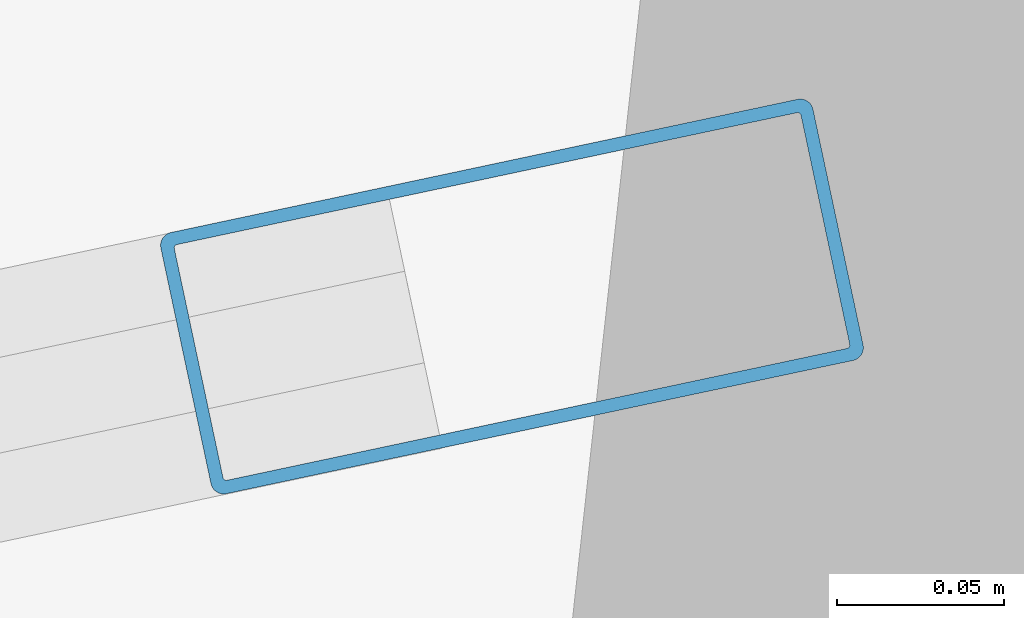
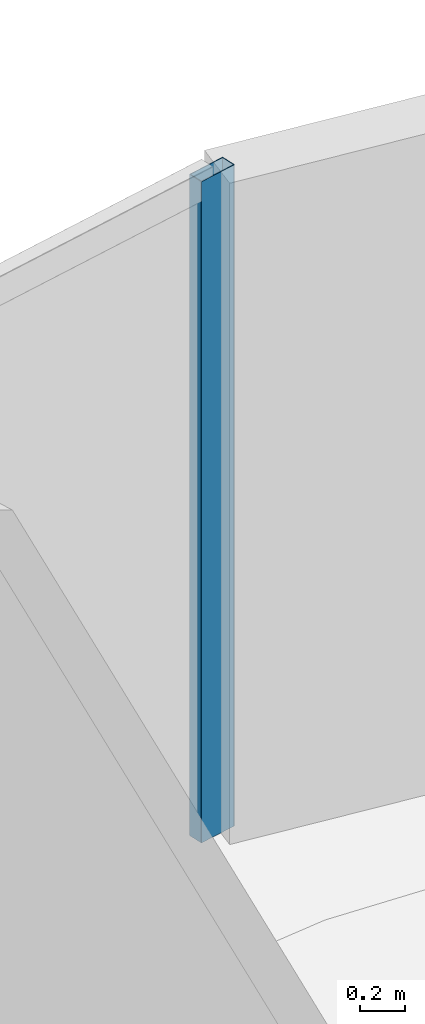
# One storey, part 12 of 20: 1 member, 1 element without a shape of its own.
"""IFC4 building model written with IfcOpenShell, lengths in metres."""

import ifcopenshell
import ifcopenshell.guid

model = None  # the IFC model being written
_history = None  # IfcOwnerHistory: only IFC2X3 demands one
_inside = {}  # id of a spatial element -> (the spatial element, [elements in it])
_under = {}  # id of a project, library or spatial element -> (it, [spatial elements below it])
_declared = {}  # id of a project -> (the project, [libraries it declares])
_typed = {}  # id of a type object -> (the type object, [elements of that type])
_made_of = {}  # id of a material, layer set ... -> (it, [elements and type objects made of it])


def new_model(schema):
    """Start an empty IFC model of exactly this schema.

    Asked for "IFC4X3", IfcOpenShell would pick the latest addendum, in which some entities
    have other attributes; the version numbers below select the first issue.
    IFC2X3 requires an IfcOwnerHistory on every rooted entity: one is made here for all.
    """
    global model, _history
    if schema == "IFC4X3":
        model = ifcopenshell.file(schema_version=(4, 3, 0, 0))
    else:
        model = ifcopenshell.file(schema=schema)
    _inside.clear()
    _under.clear()
    _declared.clear()
    _typed.clear()
    _made_of.clear()
    _history = None
    if model.schema == "IFC2X3":
        org = make("IfcOrganization", Name="unknown")
        user = make(
            "IfcPersonAndOrganization",
            ThePerson=make("IfcPerson", FamilyName="unknown"),
            TheOrganization=org,
        )
        app = make(
            "IfcApplication",
            ApplicationDeveloper=org,
            Version="unknown",
            ApplicationFullName="unknown",
            ApplicationIdentifier="unknown",
        )
        _history = make(
            "IfcOwnerHistory",
            OwningUser=user,
            OwningApplication=app,
            ChangeAction="ADDED",
            CreationDate=0,
        )
    return model


def make(cls, **values):
    """One entity of the class cls with the attributes given. An attribute that is None is left unset."""
    return model.create_entity(
        cls, **{name: value for name, value in values.items() if value is not None}
    )


def rooted(cls, **values):
    """An entity with a GlobalId (a new one), such as an element, a storey or a relation."""
    return make(cls, GlobalId=ifcopenshell.guid.new(), OwnerHistory=_history, **values)


def si_unit(unit_type, name, prefix=None):
    """IfcSIUnit, for example si_unit("LENGTHUNIT", "METRE", prefix="MILLI")."""
    return make("IfcSIUnit", UnitType=unit_type, Prefix=prefix, Name=name)


def assignment(units):
    """IfcUnitAssignment: the units of a project."""
    return None if units is None else make("IfcUnitAssignment", Units=units)


def point(xyz):
    """IfcCartesianPoint."""
    return None if xyz is None else make("IfcCartesianPoint", Coordinates=xyz)


def direction(xyz):
    """IfcDirection."""
    return None if xyz is None else make("IfcDirection", DirectionRatios=xyz)


def frame(location, z_axis=None, x_axis=None):
    """IfcAxis2Placement3D, a coordinate frame: its origin and axes. An axis left out is left unset."""
    return make(
        "IfcAxis2Placement3D",
        Location=point(location),
        Axis=direction(z_axis),
        RefDirection=direction(x_axis),
    )


def frame_2d(location, x_axis=None):
    """IfcAxis2Placement2D, a coordinate frame in the plane: its origin and x axis."""
    return make(
        "IfcAxis2Placement2D", Location=point(location), RefDirection=direction(x_axis)
    )


def origin():
    """The frame at (0, 0, 0) with its axes left unset."""
    return frame((0.0, 0.0, 0.0))


def origin_2d():
    """The frame at (0, 0) in the plane with its x axis left unset."""
    return frame_2d((0.0, 0.0))


def place(relative_to, where):
    """IfcLocalPlacement: puts the frame where relative to a parent placement (None: the world)."""
    return make(
        "IfcLocalPlacement", PlacementRelTo=relative_to, RelativePlacement=where
    )


def context(
    kind, dimensions, precision=None, world=None, true_north=None, identifier=None
):
    """IfcGeometricRepresentationContext, for example the 3D "Model" context."""
    return make(
        "IfcGeometricRepresentationContext",
        ContextIdentifier=identifier,
        ContextType=kind,
        CoordinateSpaceDimension=dimensions,
        Precision=precision,
        WorldCoordinateSystem=world,
        TrueNorth=true_north,
    )


def subcontext(parent, identifier, kind, view, scale=None):
    """IfcGeometricRepresentationSubContext, for example "Body" below "Model"."""
    return make(
        "IfcGeometricRepresentationSubContext",
        ContextIdentifier=identifier,
        ContextType=kind,
        ParentContext=parent,
        TargetScale=scale,
        TargetView=view,
    )


def project(units=None, contexts=None):
    """IfcProject with its units and contexts."""
    return rooted(
        "IfcProject",
        Name="project",
        RepresentationContexts=contexts,
        UnitsInContext=assignment(units),
    )


def spatial(cls, under=None, at=None, **own):
    """A site, building, storey or space (cls), placed at a placement, below another one or the project."""
    s = rooted(cls, ObjectPlacement=at, **own)
    if under is not None:
        _under.setdefault(under.id(), (under, []))[1].append(s)
    return s


def profile(cls, at=None, kind="AREA", **sizes):
    """A parametric profile (cls). Its sizes go by their IFC names, for example OverallWidth=200.0."""
    return make(cls, ProfileType=kind, Position=at, **sizes)


def hollow_rectangle(**sizes):
    """IfcRectangleHollowProfileDef."""
    return profile("IfcRectangleHollowProfileDef", **sizes)


def extrude(swept, where, along, depth):
    """IfcExtrudedAreaSolid: the profile swept, set in the frame where, extruded along a direction by depth."""
    return make(
        "IfcExtrudedAreaSolid",
        SweptArea=swept,
        Position=where,
        ExtrudedDirection=direction(along),
        Depth=depth,
    )


def shape(context_of_items, identifier, shape_type, items):
    """IfcShapeRepresentation: the items that make up one representation, for example the "Body"."""
    return make(
        "IfcShapeRepresentation",
        ContextOfItems=context_of_items,
        RepresentationIdentifier=identifier,
        RepresentationType=shape_type,
        Items=items,
    )


def material(Name=None, Category=None):
    """IfcMaterial."""
    return make("IfcMaterial", Name=Name, Category=Category)


def layer(
    of_material, thickness, ventilated=None, Name=None, Category=None, Priority=None
):
    """IfcMaterialLayer: one layer of a wall or slab, of a material (None: an air gap)."""
    return make(
        "IfcMaterialLayer",
        Material=of_material,
        LayerThickness=thickness,
        IsVentilated=ventilated,
        Name=Name,
        Category=Category,
        Priority=Priority,
    )


def layer_set(layers, Name=None):
    """IfcMaterialLayerSet."""
    return make("IfcMaterialLayerSet", MaterialLayers=layers, LayerSetName=Name)


def material_profile(
    of_material, cross_section, Name=None, Category=None, Priority=None
):
    """IfcMaterialProfile: a cross section and its material."""
    return make(
        "IfcMaterialProfile",
        Name=Name,
        Material=of_material,
        Profile=cross_section,
        Priority=Priority,
        Category=Category,
    )


def profile_set(profiles, Name=None, composite=None):
    """IfcMaterialProfileSet."""
    return make(
        "IfcMaterialProfileSet",
        Name=Name,
        MaterialProfiles=profiles,
        CompositeProfile=composite,
    )


def made_of(thing, what):
    """Note that an element or type object is made of a material, layer set ...; save() writes the relation."""
    if what is not None:
        _made_of.setdefault(what.id(), (what, []))[1].append(thing)
    return thing


def type_object(cls, material=None, **own):
    """A type object (cls), such as IfcWallType, which elements share."""
    return made_of(rooted(cls, **own), material)


def element(
    cls,
    number,
    at=None,
    inside=None,
    cuts=None,
    type_object=None,
    material=None,
    context=None,
    identifier="Body",
    shape_type=None,
    held_by="IfcProductDefinitionShape",
    body=None,
    shapes=None,
    **own,
):
    """One element of the class cls, such as IfcWall. Its Tag is "e" and its number.

    at: its placement. inside: the storey or other place that contains it. cuts: it is an
    opening in that element (IfcRelVoidsElement). A single representation is given by context,
    identifier, shape_type and body (its items); several are given by shapes. held_by: the class
    of the entity that holds the representations. save() writes the other relations.
    """
    e = rooted(cls, Tag="e%d" % number, ObjectPlacement=at, **own)
    if body is not None:
        shapes = [shape(context, identifier, shape_type, body)]
    if shapes is not None:
        e.Representation = make(held_by, Representations=shapes)
    if inside is not None:
        _inside.setdefault(inside.id(), (inside, []))[1].append(e)
    if cuts is not None:
        rooted(
            "IfcRelVoidsElement", RelatingBuildingElement=cuts, RelatedOpeningElement=e
        )
    if type_object is not None:
        _typed.setdefault(type_object.id(), (type_object, []))[1].append(e)
    return made_of(e, material)


def aggregate(whole, parts):
    """IfcRelAggregates: a whole, such as a stair, and the parts it consists of."""
    return rooted("IfcRelAggregates", RelatingObject=whole, RelatedObjects=parts)


def save(model, path):
    """Write the relations noted so far, then the file.

    IfcRelAggregates (storeys below a building ...), IfcRelContainedInSpatialStructure (elements
    in a storey), IfcRelDefinesByType, IfcRelAssociatesMaterial and IfcRelDeclares: one each for
    every whole, place, type object, material and project.
    """
    for whole, parts in _under.values():
        aggregate(whole, parts)
    for where, things in _inside.values():
        rooted(
            "IfcRelContainedInSpatialStructure",
            RelatedElements=things,
            RelatingStructure=where,
        )
    for kind, things in _typed.values():
        rooted("IfcRelDefinesByType", RelatedObjects=things, RelatingType=kind)
    for what, things in _made_of.values():
        rooted("IfcRelAssociatesMaterial", RelatedObjects=things, RelatingMaterial=what)
    for by, libraries in _declared.values():
        rooted("IfcRelDeclares", RelatingContext=by, RelatedDefinitions=libraries)
    model.write(path)


model = new_model("IFC4")

# Units and contexts
model_context = context("Model", 3, precision=1e-05, world=origin(), true_north=direction((0.0, 1.0)))
body_context = subcontext(model_context, "Body", "Model", "MODEL_VIEW")
ifc_project = project(units=[si_unit("LENGTHUNIT", "METRE"), si_unit("AREAUNIT", "SQUARE_METRE"), si_unit("VOLUMEUNIT", "CUBIC_METRE"), si_unit("PLANEANGLEUNIT", "RADIAN"), si_unit("MASSUNIT", "GRAM", prefix="KILO")], contexts=[model_context])

# Site, building, storey
site_placement = place(None, origin())
site = spatial("IfcSite", under=ifc_project, at=site_placement, CompositionType="ELEMENT")
building_placement = place(site_placement, origin())
building = spatial("IfcBuilding", under=site, at=building_placement, Name="Bramvorn Convention Spire", CompositionType="ELEMENT")
storey_placement = place(building_placement, frame((0.0, 0.0, 303.64990234375)))
storey = spatial("IfcBuildingStorey", under=building, at=storey_placement, Name="L77", CompositionType="ELEMENT", Elevation=303.64990234375)

# Curtain wall, member
ifc_material_1 = material(Name="Anodised Bronze Unitised Curtain Wall", Category="aluminium")
ifc_layer = layer(ifc_material_1, 0.179931640625)
ifc_layer_set = layer_set([ifc_layer], Name="Anodised Bronze Unitised Curtain Wall - CW-OFF-FRIT")
curtain_wall_type = type_object("IfcCurtainWallType", Name="CW-OFF-FRIT", PredefinedType="USERDEFINED", material=ifc_layer_set)
curtain_wall_placement = place(storey_placement, origin())
curtain_wall = element("IfcCurtainWall", 1, at=curtain_wall_placement, inside=storey, type_object=curtain_wall_type, Name="L77 fritted glass curtain wall 12", ObjectType="UNITISED CURTAIN WALL", PredefinedType="USERDEFINED")
ifc_material_2 = material(Name="Anodised Bronze Aluminium 6063-T6", Category="aluminium")
ifc_material_profile = material_profile(ifc_material_2, hollow_rectangle(XDim=0.080078125, YDim=0.199951171875, WallThickness=0.00390625, InnerFilletRadius=0.0009765625, OuterFilletRadius=0.00390625, at=origin_2d()))
ifc_profile_set = profile_set([ifc_material_profile], Name="Anodised Bronze Aluminium 6063-T6 - CWM80X200")
member_type = type_object("IfcMemberType", Name="CW-MUL-180", PredefinedType="MULLION", material=ifc_profile_set)
member_placement = place(storey_placement, frame((32.479736328125, 51.139404296875, 0.0), z_axis=(0.0, 0.0, 1.0), x_axis=(-0.207969335421, 0.97813534622, 0.0)))
member = element("IfcMember", 2, at=member_placement, type_object=member_type, Name="CW3 mullion 2", PredefinedType="MULLION", context=body_context, shape_type="SweptSolid", body=[
    extrude(hollow_rectangle(XDim=0.080078125, YDim=0.199951171875, WallThickness=0.00390625, InnerFilletRadius=0.0009765625, OuterFilletRadius=0.00390625, at=origin_2d()), origin(), (0.0, 0.0, 1.0), 3.60009765625),
])
aggregate(curtain_wall, [member])

save(model, "model.ifc")
